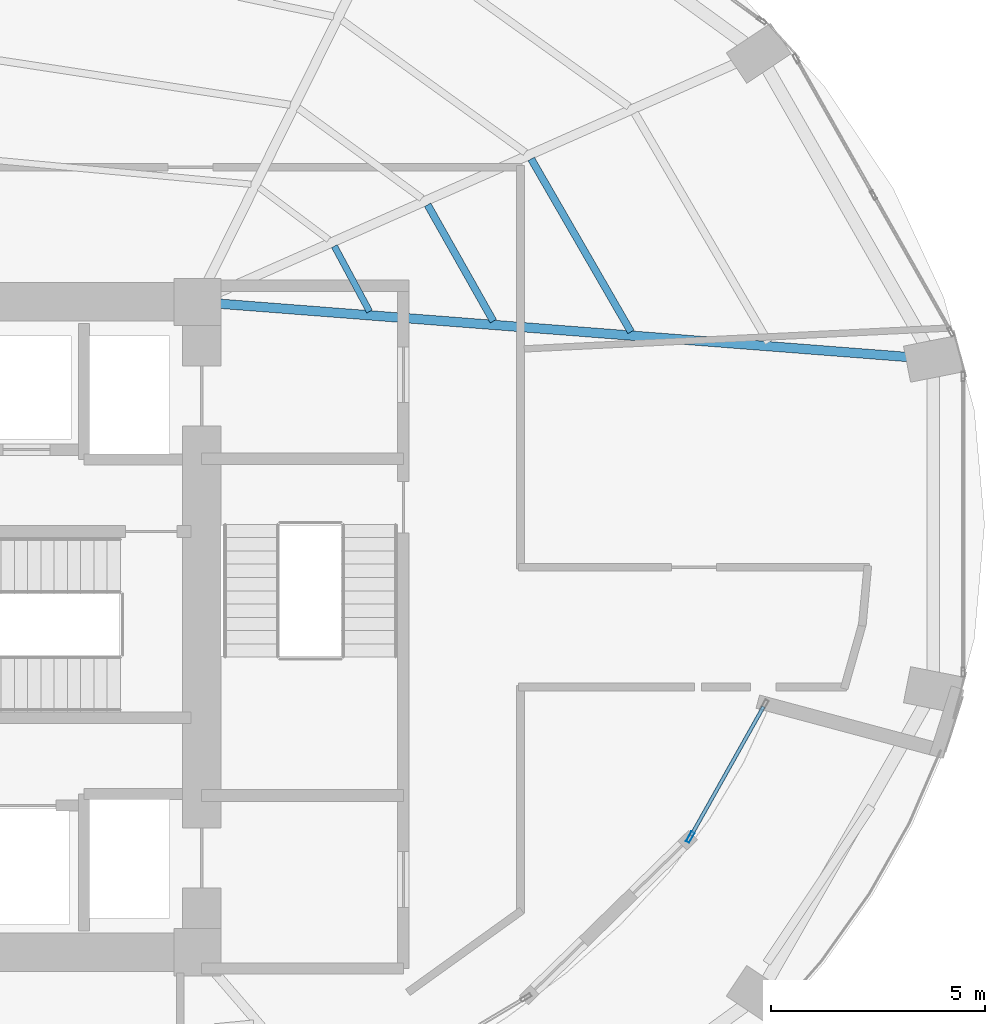
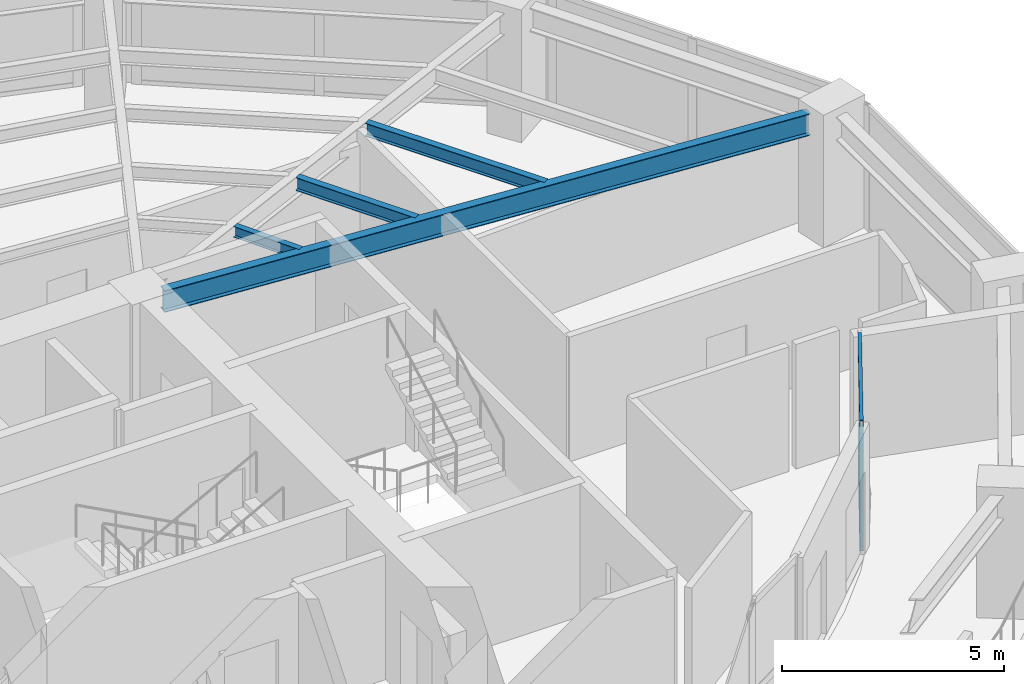
# One storey, part 11 of 24: 4 beams, 4 members, 1 element without a shape of its own.
"""IFC4 building model written with IfcOpenShell, lengths in metres."""

from ifc_helpers import new_model, si_unit, direction, frame, origin, origin_2d, place, context, subcontext, project, spatial, hollow_rectangle, i_section, extrude, material, layer, layer_set, material_profile, profile_set, type_object, element, aggregate, save


model = new_model("IFC4")

# Units and contexts
model_context = context("Model", 3, precision=1e-05, world=origin(), true_north=direction((0.0, 1.0)))
body_context = subcontext(model_context, "Body", "Model", "MODEL_VIEW")
ifc_project = project(units=[si_unit("LENGTHUNIT", "METRE"), si_unit("AREAUNIT", "SQUARE_METRE"), si_unit("VOLUMEUNIT", "CUBIC_METRE"), si_unit("PLANEANGLEUNIT", "RADIAN"), si_unit("MASSUNIT", "GRAM", prefix="KILO")], contexts=[model_context])

# Site, building, storey
site_placement = place(None, origin())
site = spatial("IfcSite", under=ifc_project, at=site_placement, CompositionType="ELEMENT")
building_placement = place(site_placement, origin())
building = spatial("IfcBuilding", under=site, at=building_placement, Name="Lazwardi Medical Tower", CompositionType="ELEMENT")
storey_placement = place(building_placement, frame((0.0, 0.0, 58.031982421875)))
storey = spatial("IfcBuildingStorey", under=building, at=storey_placement, Name="L14", CompositionType="ELEMENT", Elevation=58.031982421875)

# Beams
ifc_material_1 = material(Name="Steel S355", Category="steel")
ifc_material_profile_1 = material_profile(ifc_material_1, i_section(OverallWidth=0.219970703125, OverallDepth=0.60009765625, WebThickness=0.011962890625, FlangeThickness=0.01904296875, at=origin_2d()), Name="IPE 600")
ifc_profile_set_1 = profile_set([ifc_material_profile_1], Name="Steel S355")
beam_type_1 = type_object("IfcBeamType", Name="BM-RG-W1", PredefinedType="BEAM", material=ifc_profile_set_1)
beam_1_placement = place(storey_placement, frame((62.2216796875, 34.3125, 3.1279296875), z_axis=(-0.997013942066, 0.077221754231, 0.0), x_axis=(-0.077221754231, -0.997013942066, 0.0)))
element("IfcBeam", 1, at=beam_1_placement, inside=storey, type_object=beam_type_1, Name="Radial girder RG-02 R05 L14", PredefinedType="BEAM", context=body_context, shape_type="SweptSolid", body=[
    extrude(i_section(OverallWidth=0.219970703125, OverallDepth=0.60009765625, WebThickness=0.011962890625, FlangeThickness=0.01904296875, at=origin_2d()), origin(), (0.0, 0.0, 1.0), 16.136474609375),
])
ifc_material_profile_2 = material_profile(ifc_material_1, i_section(OverallWidth=0.169921875, OverallDepth=0.360107421875, WebThickness=0.008056640625, FlangeThickness=0.0126953125, at=origin_2d()), Name="IPE 360")
ifc_profile_set_2 = profile_set([ifc_material_profile_2], Name="Steel S355")
beam_type_2 = type_object("IfcBeamType", Name="BM-SJ-02", PredefinedType="JOIST", material=ifc_profile_set_2)
beam_2_placement = place(storey_placement, frame((55.73388671875, 34.90185546875, 3.248046875), z_axis=(-0.499785866494, 0.866148998529, 0.0), x_axis=(-0.866148998529, -0.499785866494, 0.0)))
element("IfcBeam", 2, at=beam_2_placement, inside=storey, type_object=beam_type_2, Name="Secondary joist SJ-02 R2 B05 L14", PredefinedType="JOIST", context=body_context, shape_type="SweptSolid", body=[
    extrude(i_section(OverallWidth=0.169921875, OverallDepth=0.360107421875, WebThickness=0.008056640625, FlangeThickness=0.0126953125, at=origin_2d()), origin(), (0.0, 0.0, 1.0), 4.666015625),
])
beam_3_placement = place(storey_placement, frame((52.51708984375, 35.151611328125, 3.248046875), z_axis=(-0.491923287977, 0.870638546554, 0.0), x_axis=(-0.870638546554, -0.491923287977, 0.0)))
element("IfcBeam", 3, at=beam_3_placement, inside=storey, type_object=beam_type_2, Name="Secondary joist SJ-02 R3 B05 L14", PredefinedType="JOIST", context=body_context, shape_type="SweptSolid", body=[
    extrude(i_section(OverallWidth=0.169921875, OverallDepth=0.360107421875, WebThickness=0.008056640625, FlangeThickness=0.0126953125, at=origin_2d()), origin(), (0.0, 0.0, 1.0), 3.122802734375),
])
ifc_material_profile_3 = material_profile(ifc_material_1, i_section(OverallWidth=0.14990234375, OverallDepth=0.300048828125, WebThickness=0.007080078125, FlangeThickness=0.0107421875, at=origin_2d()), Name="IPE 300")
ifc_profile_set_3 = profile_set([ifc_material_profile_3], Name="Steel S355")
beam_type_3 = type_object("IfcBeamType", Name="BM-SJ-03", PredefinedType="JOIST", material=ifc_profile_set_3)
beam_4_placement = place(storey_placement, frame((49.623046875, 35.376953125, 3.278076171875), z_axis=(-0.473982292828, 0.880534375301, 0.0), x_axis=(-0.880534375301, -0.473982292828, 0.0)))
element("IfcBeam", 4, at=beam_4_placement, inside=storey, type_object=beam_type_3, Name="Secondary joist SJ-03 R4 B05 L14", PredefinedType="JOIST", context=body_context, shape_type="SweptSolid", body=[
    extrude(i_section(OverallWidth=0.14990234375, OverallDepth=0.300048828125, WebThickness=0.007080078125, FlangeThickness=0.0107421875, at=origin_2d()), origin(), (0.0, 0.0, 1.0), 1.734375),
])

# Curtain wall, members
ifc_material_2 = material(Name="Anodised bronze aluminium and solar control glazing", Category="aluminium")
ifc_layer = layer(ifc_material_2, 0.239990234375)
ifc_layer_set = layer_set([ifc_layer], Name="Anodised bronze aluminium and solar control glazing")
curtain_wall_type = type_object("IfcCurtainWallType", Name="CW-SYS-05", PredefinedType="NOTDEFINED", material=ifc_layer_set)
curtain_wall_placement = place(storey_placement, origin())
curtain_wall = element("IfcCurtainWall", 5, at=curtain_wall_placement, inside=storey, type_object=curtain_wall_type, Name="L14 Unitised bronze curtain wall CW-05", PredefinedType="NOTDEFINED")
ifc_material_3 = material(Name="Anodised bronze aluminium", Category="aluminium")
ifc_material_profile_4 = material_profile(ifc_material_3, hollow_rectangle(XDim=0.0849609375, YDim=0.260009765625, WallThickness=0.0048828125, at=origin_2d()), Name="ALU-MULLION 260x85x5")
ifc_profile_set_4 = profile_set([ifc_material_profile_4], Name="Anodised bronze aluminium")
member_type_1 = type_object("IfcMemberType", Name="CW-MUL-02", PredefinedType="MULLION", material=ifc_profile_set_4)
member_1_placement = place(storey_placement, frame((57.119873046875, 23.091552734375, 0.0), z_axis=(0.0, 0.0, 1.0), x_axis=(-0.871837157649, 0.489795845779, 0.0)))
member_1 = element("IfcMember", 6, at=member_1_placement, type_object=member_type_1, Name="CW-05 mullion 1", PredefinedType="MULLION", context=body_context, shape_type="SweptSolid", body=[
    extrude(hollow_rectangle(XDim=0.0849609375, YDim=0.260009765625, WallThickness=0.0048828125, at=origin_2d()), origin(), (0.0, 0.0, 1.0), 3.427978515625),
])
ifc_material_profile_5 = material_profile(ifc_material_3, hollow_rectangle(XDim=0.0849609375, YDim=0.199951171875, WallThickness=0.00439453125, at=origin_2d()), Name="ALU-TRANSOM 200x85x4.5")
ifc_profile_set_5 = profile_set([ifc_material_profile_5], Name="Anodised bronze aluminium")
member_type_2 = type_object("IfcMemberType", Name="CW-TRN-02", PredefinedType="USERDEFINED", material=ifc_profile_set_5)
member_2_placement = place(storey_placement, frame((57.140625, 23.12841796875, 0.04248046875), z_axis=(0.48980453723, 0.871832274758, 0.0), x_axis=(-0.871832274758, 0.48980453723, 0.0)))
member_2 = element("IfcMember", 7, at=member_2_placement, type_object=member_type_2, Name="CW-05 transom 1.1", ObjectType="TRANSOM", PredefinedType="USERDEFINED", context=body_context, shape_type="SweptSolid", body=[
    extrude(hollow_rectangle(XDim=0.0849609375, YDim=0.199951171875, WallThickness=0.00439453125, at=origin_2d()), origin(), (0.0, 0.0, 1.0), 3.4521484375),
])
member_3_placement = place(storey_placement, frame((57.140625, 23.12841796875, 0.89990234375), z_axis=(0.48980453723, 0.871832274758, 0.0), x_axis=(-0.871832274758, 0.48980453723, 0.0)))
member_3 = element("IfcMember", 8, at=member_3_placement, type_object=member_type_2, Name="CW-05 transom 1.2", ObjectType="TRANSOM", PredefinedType="USERDEFINED", context=body_context, shape_type="SweptSolid", body=[
    extrude(hollow_rectangle(XDim=0.0849609375, YDim=0.199951171875, WallThickness=0.00439453125, at=origin_2d()), origin(), (0.0, 0.0, 1.0), 3.4521484375),
])
member_4_placement = place(storey_placement, frame((57.140625, 23.12841796875, 3.385498046875), z_axis=(0.48980453723, 0.871832274758, 0.0), x_axis=(-0.871832274758, 0.48980453723, 0.0)))
member_4 = element("IfcMember", 9, at=member_4_placement, type_object=member_type_2, Name="CW-05 transom 1.3", ObjectType="TRANSOM", PredefinedType="USERDEFINED", context=body_context, shape_type="SweptSolid", body=[
    extrude(hollow_rectangle(XDim=0.0849609375, YDim=0.199951171875, WallThickness=0.00439453125, at=origin_2d()), origin(), (0.0, 0.0, 1.0), 3.4521484375),
])
aggregate(curtain_wall, [member_1, member_2, member_3, member_4])

save(model, "model.ifc")
